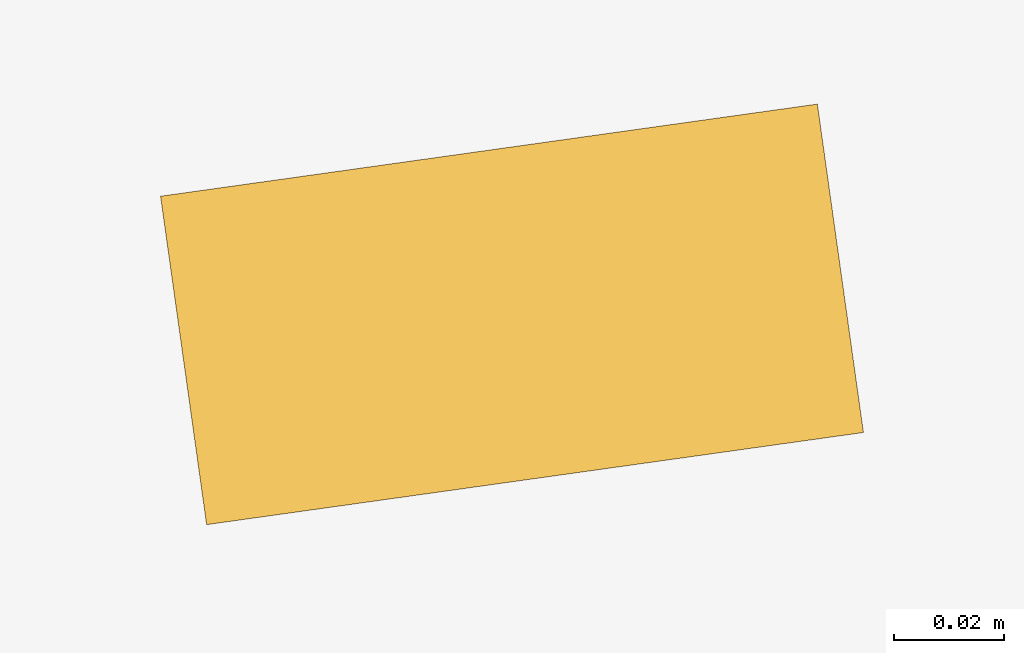
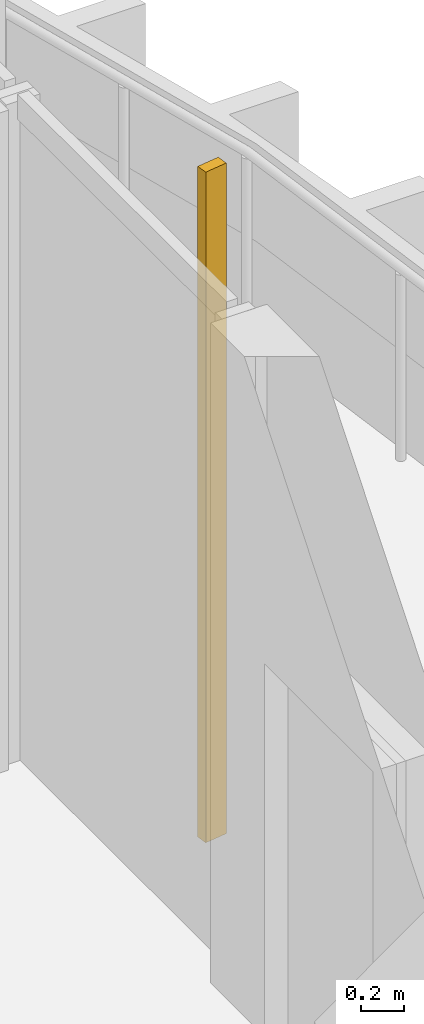
# One storey, part 27 of 29: 1 shading device.
"""IFC4 building model written with IfcOpenShell, lengths in metres."""

import ifcopenshell
import ifcopenshell.guid

model = None  # the IFC model being written
_history = None  # IfcOwnerHistory: only IFC2X3 demands one
_inside = {}  # id of a spatial element -> (the spatial element, [elements in it])
_under = {}  # id of a project, library or spatial element -> (it, [spatial elements below it])
_declared = {}  # id of a project -> (the project, [libraries it declares])
_typed = {}  # id of a type object -> (the type object, [elements of that type])
_made_of = {}  # id of a material, layer set ... -> (it, [elements and type objects made of it])


def new_model(schema):
    """Start an empty IFC model of exactly this schema.

    Asked for "IFC4X3", IfcOpenShell would pick the latest addendum, in which some entities
    have other attributes; the version numbers below select the first issue.
    IFC2X3 requires an IfcOwnerHistory on every rooted entity: one is made here for all.
    """
    global model, _history
    if schema == "IFC4X3":
        model = ifcopenshell.file(schema_version=(4, 3, 0, 0))
    else:
        model = ifcopenshell.file(schema=schema)
    _inside.clear()
    _under.clear()
    _declared.clear()
    _typed.clear()
    _made_of.clear()
    _history = None
    if model.schema == "IFC2X3":
        org = make("IfcOrganization", Name="unknown")
        user = make(
            "IfcPersonAndOrganization",
            ThePerson=make("IfcPerson", FamilyName="unknown"),
            TheOrganization=org,
        )
        app = make(
            "IfcApplication",
            ApplicationDeveloper=org,
            Version="unknown",
            ApplicationFullName="unknown",
            ApplicationIdentifier="unknown",
        )
        _history = make(
            "IfcOwnerHistory",
            OwningUser=user,
            OwningApplication=app,
            ChangeAction="ADDED",
            CreationDate=0,
        )
    return model


def make(cls, **values):
    """One entity of the class cls with the attributes given. An attribute that is None is left unset."""
    return model.create_entity(
        cls, **{name: value for name, value in values.items() if value is not None}
    )


def rooted(cls, **values):
    """An entity with a GlobalId (a new one), such as an element, a storey or a relation."""
    return make(cls, GlobalId=ifcopenshell.guid.new(), OwnerHistory=_history, **values)


def si_unit(unit_type, name, prefix=None):
    """IfcSIUnit, for example si_unit("LENGTHUNIT", "METRE", prefix="MILLI")."""
    return make("IfcSIUnit", UnitType=unit_type, Prefix=prefix, Name=name)


def assignment(units):
    """IfcUnitAssignment: the units of a project."""
    return None if units is None else make("IfcUnitAssignment", Units=units)


def point(xyz):
    """IfcCartesianPoint."""
    return None if xyz is None else make("IfcCartesianPoint", Coordinates=xyz)


def direction(xyz):
    """IfcDirection."""
    return None if xyz is None else make("IfcDirection", DirectionRatios=xyz)


def frame(location, z_axis=None, x_axis=None):
    """IfcAxis2Placement3D, a coordinate frame: its origin and axes. An axis left out is left unset."""
    return make(
        "IfcAxis2Placement3D",
        Location=point(location),
        Axis=direction(z_axis),
        RefDirection=direction(x_axis),
    )


def frame_2d(location, x_axis=None):
    """IfcAxis2Placement2D, a coordinate frame in the plane: its origin and x axis."""
    return make(
        "IfcAxis2Placement2D", Location=point(location), RefDirection=direction(x_axis)
    )


def origin():
    """The frame at (0, 0, 0) with its axes left unset."""
    return frame((0.0, 0.0, 0.0))


def origin_2d():
    """The frame at (0, 0) in the plane with its x axis left unset."""
    return frame_2d((0.0, 0.0))


def place(relative_to, where):
    """IfcLocalPlacement: puts the frame where relative to a parent placement (None: the world)."""
    return make(
        "IfcLocalPlacement", PlacementRelTo=relative_to, RelativePlacement=where
    )


def context(
    kind, dimensions, precision=None, world=None, true_north=None, identifier=None
):
    """IfcGeometricRepresentationContext, for example the 3D "Model" context."""
    return make(
        "IfcGeometricRepresentationContext",
        ContextIdentifier=identifier,
        ContextType=kind,
        CoordinateSpaceDimension=dimensions,
        Precision=precision,
        WorldCoordinateSystem=world,
        TrueNorth=true_north,
    )


def subcontext(parent, identifier, kind, view, scale=None):
    """IfcGeometricRepresentationSubContext, for example "Body" below "Model"."""
    return make(
        "IfcGeometricRepresentationSubContext",
        ContextIdentifier=identifier,
        ContextType=kind,
        ParentContext=parent,
        TargetScale=scale,
        TargetView=view,
    )


def project(units=None, contexts=None):
    """IfcProject with its units and contexts."""
    return rooted(
        "IfcProject",
        Name="project",
        RepresentationContexts=contexts,
        UnitsInContext=assignment(units),
    )


def spatial(cls, under=None, at=None, **own):
    """A site, building, storey or space (cls), placed at a placement, below another one or the project."""
    s = rooted(cls, ObjectPlacement=at, **own)
    if under is not None:
        _under.setdefault(under.id(), (under, []))[1].append(s)
    return s


def profile(cls, at=None, kind="AREA", **sizes):
    """A parametric profile (cls). Its sizes go by their IFC names, for example OverallWidth=200.0."""
    return make(cls, ProfileType=kind, Position=at, **sizes)


def rectangle(**sizes):
    """IfcRectangleProfileDef."""
    return profile("IfcRectangleProfileDef", **sizes)


def extrude(swept, where, along, depth):
    """IfcExtrudedAreaSolid: the profile swept, set in the frame where, extruded along a direction by depth."""
    return make(
        "IfcExtrudedAreaSolid",
        SweptArea=swept,
        Position=where,
        ExtrudedDirection=direction(along),
        Depth=depth,
    )


def shape(context_of_items, identifier, shape_type, items):
    """IfcShapeRepresentation: the items that make up one representation, for example the "Body"."""
    return make(
        "IfcShapeRepresentation",
        ContextOfItems=context_of_items,
        RepresentationIdentifier=identifier,
        RepresentationType=shape_type,
        Items=items,
    )


def source(mapping_origin, context_of_items, identifier, shape_type, items):
    """IfcRepresentationMap: a shape defined once, which mapped items show again and again."""
    return make(
        "IfcRepresentationMap",
        MappingOrigin=mapping_origin,
        MappedRepresentation=shape(context_of_items, identifier, shape_type, items),
    )


def transform(
    local_origin,
    x_axis=None,
    y_axis=None,
    z_axis=None,
    scale=None,
    scale2=None,
    scale3=None,
    uniform=True,
):
    """IfcCartesianTransformationOperator3D, or its non-uniform kind. x_axis, y_axis, z_axis: its Axis1, 2, 3."""
    if uniform:
        return make(
            "IfcCartesianTransformationOperator3D",
            Axis1=direction(x_axis),
            Axis2=direction(y_axis),
            LocalOrigin=point(local_origin),
            Scale=scale,
            Axis3=direction(z_axis),
        )
    return make(
        "IfcCartesianTransformationOperator3DnonUniform",
        Axis1=direction(x_axis),
        Axis2=direction(y_axis),
        LocalOrigin=point(local_origin),
        Scale=scale,
        Axis3=direction(z_axis),
        Scale2=scale2,
        Scale3=scale3,
    )


def mapped(mapping_source, mapping_target):
    """IfcMappedItem: shows the shape of a source again, moved by a transform."""
    return make(
        "IfcMappedItem", MappingSource=mapping_source, MappingTarget=mapping_target
    )


def material(Name=None, Category=None):
    """IfcMaterial."""
    return make("IfcMaterial", Name=Name, Category=Category)


def material_profile(
    of_material, cross_section, Name=None, Category=None, Priority=None
):
    """IfcMaterialProfile: a cross section and its material."""
    return make(
        "IfcMaterialProfile",
        Name=Name,
        Material=of_material,
        Profile=cross_section,
        Priority=Priority,
        Category=Category,
    )


def profile_set(profiles, Name=None, composite=None):
    """IfcMaterialProfileSet."""
    return make(
        "IfcMaterialProfileSet",
        Name=Name,
        MaterialProfiles=profiles,
        CompositeProfile=composite,
    )


def made_of(thing, what):
    """Note that an element or type object is made of a material, layer set ...; save() writes the relation."""
    if what is not None:
        _made_of.setdefault(what.id(), (what, []))[1].append(thing)
    return thing


def type_object(cls, material=None, **own):
    """A type object (cls), such as IfcWallType, which elements share."""
    return made_of(rooted(cls, **own), material)


def element(
    cls,
    number,
    at=None,
    inside=None,
    cuts=None,
    type_object=None,
    material=None,
    context=None,
    identifier="Body",
    shape_type=None,
    held_by="IfcProductDefinitionShape",
    body=None,
    shapes=None,
    **own,
):
    """One element of the class cls, such as IfcWall. Its Tag is "e" and its number.

    at: its placement. inside: the storey or other place that contains it. cuts: it is an
    opening in that element (IfcRelVoidsElement). A single representation is given by context,
    identifier, shape_type and body (its items); several are given by shapes. held_by: the class
    of the entity that holds the representations. save() writes the other relations.
    """
    e = rooted(cls, Tag="e%d" % number, ObjectPlacement=at, **own)
    if body is not None:
        shapes = [shape(context, identifier, shape_type, body)]
    if shapes is not None:
        e.Representation = make(held_by, Representations=shapes)
    if inside is not None:
        _inside.setdefault(inside.id(), (inside, []))[1].append(e)
    if cuts is not None:
        rooted(
            "IfcRelVoidsElement", RelatingBuildingElement=cuts, RelatedOpeningElement=e
        )
    if type_object is not None:
        _typed.setdefault(type_object.id(), (type_object, []))[1].append(e)
    return made_of(e, material)


def aggregate(whole, parts):
    """IfcRelAggregates: a whole, such as a stair, and the parts it consists of."""
    return rooted("IfcRelAggregates", RelatingObject=whole, RelatedObjects=parts)


def save(model, path):
    """Write the relations noted so far, then the file.

    IfcRelAggregates (storeys below a building ...), IfcRelContainedInSpatialStructure (elements
    in a storey), IfcRelDefinesByType, IfcRelAssociatesMaterial and IfcRelDeclares: one each for
    every whole, place, type object, material and project.
    """
    for whole, parts in _under.values():
        aggregate(whole, parts)
    for where, things in _inside.values():
        rooted(
            "IfcRelContainedInSpatialStructure",
            RelatedElements=things,
            RelatingStructure=where,
        )
    for kind, things in _typed.values():
        rooted("IfcRelDefinesByType", RelatedObjects=things, RelatingType=kind)
    for what, things in _made_of.values():
        rooted("IfcRelAssociatesMaterial", RelatedObjects=things, RelatingMaterial=what)
    for by, libraries in _declared.values():
        rooted("IfcRelDeclares", RelatingContext=by, RelatedDefinitions=libraries)
    model.write(path)


model = new_model("IFC4")

# Units and contexts
model_context = context("Model", 3, precision=1e-05, world=origin(), true_north=direction((0.0, 1.0)))
body_context = subcontext(model_context, "Body", "Model", "MODEL_VIEW")
ifc_project = project(units=[si_unit("LENGTHUNIT", "METRE"), si_unit("AREAUNIT", "SQUARE_METRE"), si_unit("VOLUMEUNIT", "CUBIC_METRE"), si_unit("PLANEANGLEUNIT", "RADIAN"), si_unit("MASSUNIT", "GRAM", prefix="KILO")], contexts=[model_context])

# Site, building, storey
site_placement = place(None, origin())
site = spatial("IfcSite", under=ifc_project, at=site_placement, CompositionType="ELEMENT")
building_placement = place(site_placement, origin())
building = spatial("IfcBuilding", under=site, at=building_placement, Name="Kilnfold Tower and Market Hall", CompositionType="ELEMENT")
storey_placement = place(building_placement, frame((0.0, 0.0, 79.199951171875)))
storey = spatial("IfcBuildingStorey", under=building, at=storey_placement, Name="L18", CompositionType="ELEMENT", Elevation=79.199951171875)

# Shading device
ifc_material = material(Name="Terracotta", Category="masonry")
ifc_material_profile = material_profile(ifc_material, rectangle(XDim=0.06005859375, YDim=0.1201171875, at=origin_2d()), Name="BAG 60x120")
ifc_profile_set = profile_set([ifc_material_profile], Name="Terracotta")
shading_device_type = type_object("IfcShadingDeviceType", Name="BAGUETTE", PredefinedType="USERDEFINED", material=ifc_profile_set)
shared_shape = source(origin(), body_context, "Body", "SweptSolid", [
    extrude(rectangle(XDim=0.06005859375, YDim=0.1201171875, at=origin_2d()), origin(), (0.0, 0.0, 1.0), 3.780029296875),
])
shading_device_placement = place(storey_placement, frame((33.300048828125, 2.47509765625, 0.0), z_axis=(0.0, 0.0, 1.0), x_axis=(-0.13891902984, 0.990303742873, 0.0)))
element("IfcShadingDevice", 1, at=shading_device_placement, inside=storey, type_object=shading_device_type, Name="Terracotta baguette L18 E", ObjectType="BAGUETTE", PredefinedType="USERDEFINED", context=body_context, shape_type="MappedRepresentation", body=[
    mapped(shared_shape, transform((0.0, 0.0, 0.0))),
])

save(model, "model.ifc")
